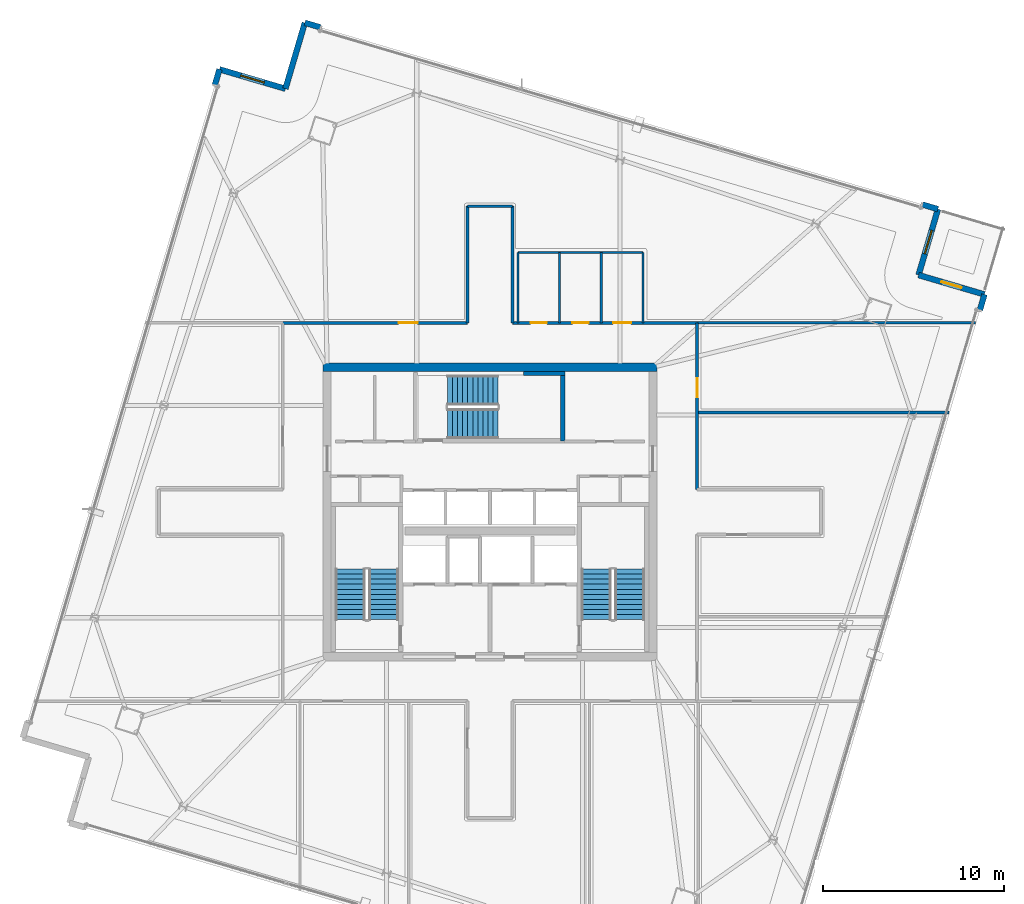
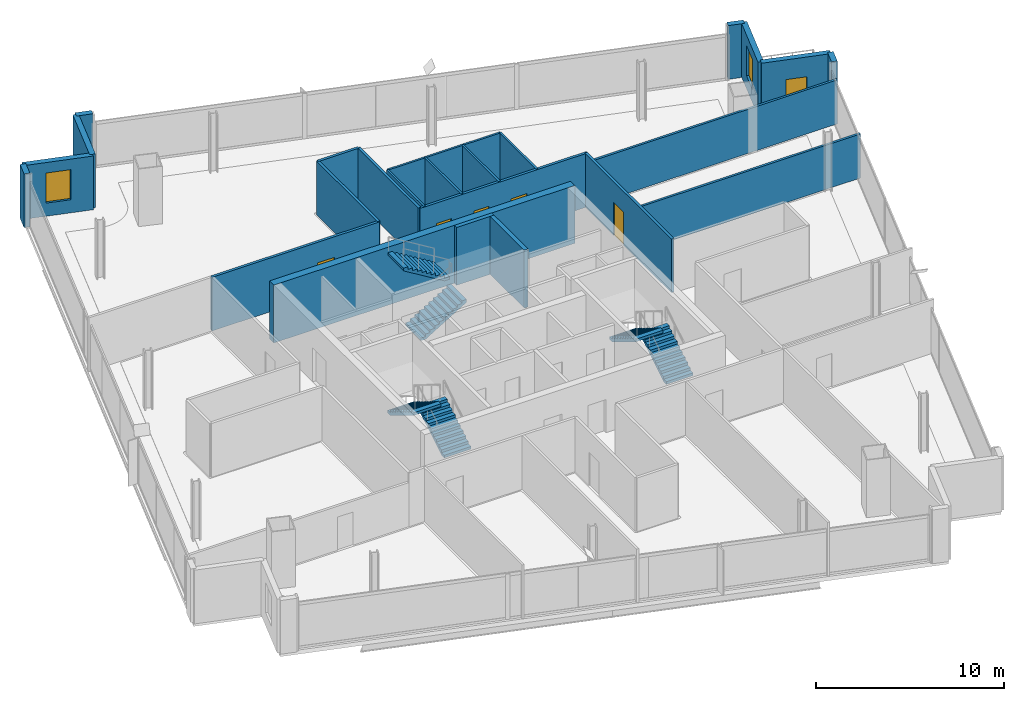
# One storey, part 22 of 26: 24 walls, 6 doors, 6 stair flights, 2 windows, 8 openings, 3 elements without a shape of their own.
"""IFC4 building model written with IfcOpenShell, lengths in metres."""

from ifc_helpers import new_model, si_unit, direction, frame, frame_2d, origin, place, context, subcontext, project, spatial, polyline, rectangle, outline, extrude, material, layer, layer_set, type_object, element, fill, aggregate, save


model = new_model("IFC4")

# Units and contexts
model_context = context("Model", 3, precision=1e-05, world=origin(), true_north=direction((0.0, 1.0)))
body_context = subcontext(model_context, "Body", "Model", "MODEL_VIEW")
ifc_project = project(units=[si_unit("LENGTHUNIT", "METRE"), si_unit("AREAUNIT", "SQUARE_METRE"), si_unit("VOLUMEUNIT", "CUBIC_METRE"), si_unit("PLANEANGLEUNIT", "RADIAN"), si_unit("MASSUNIT", "GRAM", prefix="KILO")], contexts=[model_context])

# Site, building, storey
site_placement = place(None, origin())
site = spatial("IfcSite", under=ifc_project, at=site_placement, CompositionType="ELEMENT")
building_placement = place(site_placement, origin())
building = spatial("IfcBuilding", under=site, at=building_placement, Name="Haldenkirk Collegiate Tower", CompositionType="ELEMENT")
storey_placement = place(building_placement, frame((0.0, 0.0, 274.949951171875)))
storey = spatial("IfcBuildingStorey", under=building, at=storey_placement, Name="L69", CompositionType="ELEMENT", Elevation=274.949951171875)

# Walls
ifc_material_1 = material(Name="Concrete f'c 55 MPa", Category="concrete")
ifc_layer_1 = layer(ifc_material_1, 0.449951171875)
ifc_layer_set_1 = layer_set([ifc_layer_1], Name="Concrete f'c 55 MPa")
wall_type_1 = type_object("IfcWallType", Name="WL-CORE-450", PredefinedType="SHEAR", material=ifc_layer_set_1)
wall_1_placement = place(storey_placement, frame((26.77490234375, 34.0, 0.0), z_axis=(0.0, 0.0, 1.0), x_axis=(1.0, 0.0, 0.0)))
element("IfcWall", 1, at=wall_1_placement, inside=storey, type_object=wall_type_1, Name="L69 central core shear wall N", PredefinedType="SHEAR", context=body_context, shape_type="SweptSolid", body=[
    extrude(rectangle(XDim=18.4501953125, YDim=0.449951171875, at=frame_2d((9.22509765625, 0.0))), origin(), (0.0, 0.0, 1.0), 3.75),
])
ifc_material_2 = material(Name="Precast concrete f'c 40 MPa", Category="concrete")
ifc_layer_2 = layer(ifc_material_2, 0.320068359375)
ifc_layer_set_2 = layer_set([ifc_layer_2], Name="Precast concrete f'c 40 MPa")
wall_type_2 = type_object("IfcWallType", Name="WL-EXT-TWR-320", PredefinedType="STANDARD", material=ifc_layer_set_2)
wall_2_placement = place(storey_placement, frame((63.331298828125, 38.0224609375, 0.0), z_axis=(0.0, 0.0, 1.0), x_axis=(-0.282092897466, -0.959387094555, 0.0)))
element("IfcWall", 2, at=wall_2_placement, inside=storey, type_object=wall_type_2, Name="L69 precast corner pier SL", PredefinedType="STANDARD", context=body_context, shape_type="SweptSolid", body=[
    extrude(rectangle(XDim=0.900146484375, YDim=0.320068359375, at=frame_2d((0.4501953125, 0.0))), origin(), (0.0, 0.0, 1.0), 3.47998046875),
])

# Wall, opening, door
wall_3_placement = place(storey_placement, frame((59.68603515625, 39.09521484375, 0.0), z_axis=(0.0, 0.0, 1.0), x_axis=(0.959321496859, -0.282315896939, 0.0)))
wall_3 = element("IfcWall", 3, at=wall_3_placement, inside=storey, type_object=wall_type_2, Name="L69 bronze precast notch wall 02", PredefinedType="STANDARD", context=body_context, shape_type="SweptSolid", body=[
    extrude(rectangle(XDim=3.7998046875, YDim=0.320068359375, at=frame_2d((1.89990234375, 0.0))), origin(), (0.0, 0.0, 1.0), 3.47998046875),
])
opening_1_placement = place(wall_3_placement, frame((1.324951171875, 0.0, 0.0)))
opening_1 = element("IfcOpeningElement", 4, at=opening_1_placement, cuts=wall_3, Name="Opening D-ST11", PredefinedType="OPENING", context=body_context, shape_type="SweptSolid", body=[
    extrude(rectangle(XDim=1.14990234375, YDim=2.199951171875, at=frame_2d((0.574951171875, 1.10009765625))), frame((0.0, 0.169921875, 0.0), z_axis=(0.0, -1.0, 0.0), x_axis=(1.0, 0.0, 0.0)), (0.0, 0.0, 1.0), 0.340087890625),
])
ifc_material_3 = material(Name="Anodised architectural bronze aluminium", Category="aluminium")
ifc_layer_3 = layer(ifc_material_3, 0.080078125)
ifc_layer_set_3 = layer_set([ifc_layer_3], Name="Anodised architectural bronze aluminium")
door_type_1 = type_object("IfcDoorType", Name="DR-EXT-STER-1150", OperationType="NOTDEFINED", PredefinedType="DOOR", material=ifc_layer_set_3)
door_1_placement = place(opening_1_placement, origin())
door_1 = element("IfcDoor", 5, at=door_1_placement, inside=storey, type_object=door_type_1, Name="L69 spiralling terrace door", OperationType="SINGLE_SWING_RIGHT", OverallHeight=2.199951171875, OverallWidth=1.14990234375, PredefinedType="DOOR", context=body_context, shape_type="SweptSolid", body=[
    extrude(rectangle(XDim=1.14990234375, YDim=2.199951171875, at=frame_2d((0.574951171875, 1.10009765625))), frame((0.0, 0.02490234375, 0.0), z_axis=(0.0, -1.0, 0.0), x_axis=(1.0, 0.0, 0.0)), (0.0, 0.0, 1.0), 0.050048828125),
])
fill(opening_1, door_1)

# Wall, opening, window
wall_4_placement = place(storey_placement, frame((60.7587890625, 42.740478515625, 0.0), z_axis=(0.0, 0.0, 1.0), x_axis=(-0.282315896939, -0.959321496859, 0.0)))
wall_4 = element("IfcWall", 6, at=wall_4_placement, inside=storey, type_object=wall_type_2, Name="L69 bronze precast notch wall 03", PredefinedType="STANDARD", context=body_context, shape_type="SweptSolid", body=[
    extrude(rectangle(XDim=3.7998046875, YDim=0.320068359375, at=frame_2d((1.89990234375, 0.0))), origin(), (0.0, 0.0, 1.0), 3.47998046875),
])
opening_2_placement = place(wall_4_placement, frame((1.22509765625, 0.0, 0.85009765625)))
opening_2 = element("IfcOpeningElement", 7, at=opening_2_placement, cuts=wall_4, Name="Opening W-07", PredefinedType="OPENING", context=body_context, shape_type="SweptSolid", body=[
    extrude(rectangle(XDim=1.35009765625, YDim=1.949951171875, at=frame_2d((0.675048828125, 0.97509765625))), frame((0.0, 0.169921875, 0.0), z_axis=(0.0, -1.0, 0.0), x_axis=(1.0, 0.0, 0.0)), (0.0, 0.0, 1.0), 0.340087890625),
])
ifc_material_4 = material(Name="Low-E argon triple insulating glass", Category="glass")
ifc_layer_4 = layer(ifc_material_4, 0.090087890625)
ifc_layer_set_4 = layer_set([ifc_layer_4], Name="Low-E argon triple insulating glass")
window_type = type_object("IfcWindowType", Name="WN-Z5-1350X1950", PartitioningType="SINGLE_PANEL", PredefinedType="WINDOW", material=ifc_layer_set_4)
window_1_placement = place(opening_2_placement, origin())
window_1 = element("IfcWindow", 8, at=window_1_placement, inside=storey, type_object=window_type, Name="L69 precast-frame academic window 2", OverallHeight=1.949951171875, OverallWidth=1.35009765625, PartitioningType="SINGLE_PANEL", PredefinedType="WINDOW", context=body_context, shape_type="SweptSolid", body=[
    extrude(rectangle(XDim=1.35009765625, YDim=1.949951171875, at=frame_2d((0.675048828125, 0.97509765625))), frame((0.0, 0.030029296875, 0.0), z_axis=(0.0, -1.0, 0.0), x_axis=(1.0, 0.0, 0.0)), (0.0, 0.0, 1.0), 0.06005859375),
])
fill(opening_2, window_1)

# Walls
wall_5_placement = place(storey_placement, frame((25.767822265625, 53.0390625, 0.0), z_axis=(0.0, 0.0, 1.0), x_axis=(0.959313659451, -0.282342527421, 0.0)))
element("IfcWall", 9, at=wall_5_placement, inside=storey, type_object=wall_type_2, Name="L69 precast corner pier EL", PredefinedType="STANDARD", context=body_context, shape_type="SweptSolid", body=[
    extrude(rectangle(XDim=0.900146484375, YDim=0.320068359375, at=frame_2d((0.4501953125, 0.0))), origin(), (0.0, 0.0, 1.0), 3.47998046875),
])
wall_6_placement = place(storey_placement, frame((59.8955078125, 42.99462890625, 0.0), z_axis=(0.0, 0.0, 1.0), x_axis=(0.959292029891, -0.282416007669, 0.0)))
element("IfcWall", 10, at=wall_6_placement, inside=storey, type_object=wall_type_2, Name="L69 precast corner pier ER", PredefinedType="STANDARD", context=body_context, shape_type="SweptSolid", body=[
    extrude(rectangle(XDim=0.89990234375, YDim=0.320068359375, at=frame_2d((0.449951171875, 0.0))), origin(), (0.0, 0.0, 1.0), 3.47998046875),
])
wall_7_placement = place(storey_placement, frame((24.695068359375, 49.393798828125, 0.0), z_axis=(0.0, 0.0, 1.0), x_axis=(0.282315896939, 0.959321496859, 0.0)))
element("IfcWall", 11, at=wall_7_placement, inside=storey, type_object=wall_type_2, Name="L69 bronze precast notch wall 05", PredefinedType="STANDARD", context=body_context, shape_type="SweptSolid", body=[
    extrude(rectangle(XDim=3.7998046875, YDim=0.320068359375, at=frame_2d((1.89990234375, 0.0))), origin(), (0.0, 0.0, 1.0), 3.47998046875),
])

# Wall, opening, window
wall_8_placement = place(storey_placement, frame((21.0498046875, 50.466552734375, 0.0), z_axis=(0.0, 0.0, 1.0), x_axis=(0.959321496859, -0.282315896939, 0.0)))
wall_8 = element("IfcWall", 12, at=wall_8_placement, inside=storey, type_object=wall_type_2, Name="L69 bronze precast notch wall 06", PredefinedType="STANDARD", context=body_context, shape_type="SweptSolid", body=[
    extrude(rectangle(XDim=3.7998046875, YDim=0.320068359375, at=frame_2d((1.89990234375, 0.0))), origin(), (0.0, 0.0, 1.0), 3.47998046875),
])
opening_3_placement = place(wall_8_placement, frame((1.22509765625, 0.0, 0.85009765625)))
opening_3 = element("IfcOpeningElement", 13, at=opening_3_placement, cuts=wall_8, Name="Opening W-07", PredefinedType="OPENING", context=body_context, shape_type="SweptSolid", body=[
    extrude(rectangle(XDim=1.35009765625, YDim=1.949951171875, at=frame_2d((0.675048828125, 0.97509765625))), frame((0.0, 0.169921875, 0.0), z_axis=(0.0, -1.0, 0.0), x_axis=(1.0, 0.0, 0.0)), (0.0, 0.0, 1.0), 0.340087890625),
])
window_2_placement = place(opening_3_placement, origin())
window_2 = element("IfcWindow", 14, at=window_2_placement, inside=storey, type_object=window_type, Name="L69 precast-frame academic window 5", OverallHeight=1.949951171875, OverallWidth=1.35009765625, PartitioningType="SINGLE_PANEL", PredefinedType="WINDOW", context=body_context, shape_type="SweptSolid", body=[
    extrude(rectangle(XDim=1.35009765625, YDim=1.949951171875, at=frame_2d((0.675048828125, 0.97509765625))), frame((0.0, 0.030029296875, 0.0), z_axis=(0.0, -1.0, 0.0), x_axis=(1.0, 0.0, 0.0)), (0.0, 0.0, 1.0), 0.06005859375),
])
fill(opening_3, window_2)

# Wall
wall_9_placement = place(storey_placement, frame((20.795654296875, 49.60302734375, 0.0), z_axis=(0.0, 0.0, 1.0), x_axis=(0.282342527421, 0.959313659451, 0.0)))
element("IfcWall", 15, at=wall_9_placement, inside=storey, type_object=wall_type_2, Name="L69 precast corner pier NR", PredefinedType="STANDARD", context=body_context, shape_type="SweptSolid", body=[
    extrude(rectangle(XDim=0.900146484375, YDim=0.320068359375, at=frame_2d((0.4501953125, 0.0))), origin(), (0.0, 0.0, 1.0), 3.47998046875),
])

# Wall, opening, door
ifc_material_5 = material(Name="Acoustic fire-rated gypsum partition", Category="concrete")
ifc_layer_5 = layer(ifc_material_5, 0.159912109375)
ifc_layer_set_5 = layer_set([ifc_layer_5], Name="Acoustic fire-rated gypsum partition")
wall_type_3 = type_object("IfcWallType", Name="WL-INT-CORR-160", PredefinedType="PARTITIONING", material=ifc_layer_set_5)
wall_10_placement = place(storey_placement, frame((24.5, 36.449951171875, 0.0), z_axis=(0.0, 0.0, 1.0), x_axis=(1.0, 0.0, 0.0)))
wall_10 = element("IfcWall", 16, at=wall_10_placement, inside=storey, type_object=wall_type_3, Name="L69 interior partition IW-L69-CN1", PredefinedType="PARTITIONING", context=body_context, shape_type="SweptSolid", body=[
    extrude(rectangle(XDim=10.25, YDim=0.159912109375, at=frame_2d((5.125, 0.0))), origin(), (0.0, 0.0, 1.0), 3.47998046875),
])
opening_4_placement = place(wall_10_placement, frame((6.445068359375, 0.0, 0.0)))
opening_4 = element("IfcOpeningElement", 17, at=opening_4_placement, cuts=wall_10, Name="Opening D-09", PredefinedType="OPENING", context=body_context, shape_type="SweptSolid", body=[
    extrude(rectangle(XDim=1.050048828125, YDim=2.14990234375, at=frame_2d((0.52490234375, 1.074951171875))), frame((0.0, 0.08984375, 0.0), z_axis=(0.0, -1.0, 0.0), x_axis=(1.0, 0.0, 0.0)), (0.0, 0.0, 1.0), 0.179931640625),
])
ifc_material_6 = material(Name="Solid-core architectural oak fire door", Category="wood")
ifc_layer_6 = layer(ifc_material_6, 0.06005859375)
ifc_layer_set_6 = layer_set([ifc_layer_6], Name="Solid-core architectural oak fire door")
door_type_2 = type_object("IfcDoorType", Name="DR-INT-FD60-1050", OperationType="NOTDEFINED", PredefinedType="DOOR", material=ifc_layer_set_6)
door_2_placement = place(opening_4_placement, origin())
door_2 = element("IfcDoor", 18, at=door_2_placement, inside=storey, type_object=door_type_2, Name="L69 Scholar Lounge 6 door", OperationType="SINGLE_SWING_RIGHT", OverallHeight=2.14990234375, OverallWidth=1.050048828125, PredefinedType="DOOR", context=body_context, shape_type="SweptSolid", body=[
    extrude(rectangle(XDim=1.050048828125, YDim=2.14990234375, at=frame_2d((0.52490234375, 1.074951171875))), frame((0.0, 0.02490234375, 0.0), z_axis=(0.0, -1.0, 0.0), x_axis=(1.0, 0.0, 0.0)), (0.0, 0.0, 1.0), 0.050048828125),
])
fill(opening_4, door_2)

# Wall, openings, doors
wall_11_placement = place(storey_placement, frame((37.25, 36.449951171875, 0.0), z_axis=(0.0, 0.0, 1.0), x_axis=(1.0, 0.0, 0.0)))
wall_11 = element("IfcWall", 19, at=wall_11_placement, inside=storey, type_object=wall_type_3, Name="L69 interior partition IW-L69-CN2", PredefinedType="PARTITIONING", context=body_context, shape_type="SweptSolid", body=[
    extrude(rectangle(XDim=10.25, YDim=0.159912109375, at=frame_2d((5.125, 0.0))), origin(), (0.0, 0.0, 1.0), 3.47998046875),
])
opening_5_placement = place(wall_11_placement, frame((1.0, 0.0, 0.0)))
opening_5 = element("IfcOpeningElement", 20, at=opening_5_placement, cuts=wall_11, Name="Opening D-13", PredefinedType="OPENING", context=body_context, shape_type="SweptSolid", body=[
    extrude(rectangle(XDim=0.89990234375, YDim=2.14990234375, at=frame_2d((0.449951171875, 1.074951171875))), frame((0.0, 0.08984375, 0.0), z_axis=(0.0, -1.0, 0.0), x_axis=(1.0, 0.0, 0.0)), (0.0, 0.0, 1.0), 0.179931640625),
])
opening_6_placement = place(wall_11_placement, frame((3.300048828125, 0.0, 0.0)))
opening_6 = element("IfcOpeningElement", 21, at=opening_6_placement, cuts=wall_11, Name="Opening D-13", PredefinedType="OPENING", context=body_context, shape_type="SweptSolid", body=[
    extrude(rectangle(XDim=0.89990234375, YDim=2.14990234375, at=frame_2d((0.449951171875, 1.074951171875))), frame((0.0, 0.08984375, 0.0), z_axis=(0.0, -1.0, 0.0), x_axis=(1.0, 0.0, 0.0)), (0.0, 0.0, 1.0), 0.179931640625),
])
opening_7_placement = place(wall_11_placement, frame((5.550048828125, 0.0, 0.0)))
opening_7 = element("IfcOpeningElement", 22, at=opening_7_placement, cuts=wall_11, Name="Opening D-14", PredefinedType="OPENING", context=body_context, shape_type="SweptSolid", body=[
    extrude(rectangle(XDim=1.0, YDim=2.14990234375, at=frame_2d((0.5, 1.074951171875))), frame((0.0, 0.08984375, 0.0), z_axis=(0.0, -1.0, 0.0), x_axis=(1.0, 0.0, 0.0)), (0.0, 0.0, 1.0), 0.179931640625),
])
ifc_layer_7 = layer(ifc_material_6, 0.06005859375)
ifc_layer_set_7 = layer_set([ifc_layer_7], Name="Solid-core architectural oak fire door")
door_type_3 = type_object("IfcDoorType", Name="DR-INT-ACC-1000", OperationType="NOTDEFINED", PredefinedType="DOOR", material=ifc_layer_set_7)
door_3_placement = place(opening_7_placement, origin())
door_3 = element("IfcDoor", 23, at=door_3_placement, inside=storey, type_object=door_type_3, Name="L69 Accessible WC door", OperationType="SINGLE_SWING_RIGHT", OverallHeight=2.14990234375, OverallWidth=1.0, PredefinedType="DOOR", context=body_context, shape_type="SweptSolid", body=[
    extrude(rectangle(XDim=1.0, YDim=2.14990234375, at=frame_2d((0.5, 1.074951171875))), frame((0.0, 0.02490234375, 0.0), z_axis=(0.0, -1.0, 0.0), x_axis=(1.0, 0.0, 0.0)), (0.0, 0.0, 1.0), 0.050048828125),
])
fill(opening_7, door_3)
ifc_layer_8 = layer(ifc_material_6, 0.06005859375)
ifc_layer_set_8 = layer_set([ifc_layer_8], Name="Solid-core architectural oak fire door")
door_type_4 = type_object("IfcDoorType", Name="DR-INT-STD-900", OperationType="NOTDEFINED", PredefinedType="DOOR", material=ifc_layer_set_8)
door_4_placement = place(opening_5_placement, origin())
door_4 = element("IfcDoor", 24, at=door_4_placement, inside=storey, type_object=door_type_4, Name="L69 Male WC door", OperationType="SINGLE_SWING_RIGHT", OverallHeight=2.14990234375, OverallWidth=0.89990234375, PredefinedType="DOOR", context=body_context, shape_type="SweptSolid", body=[
    extrude(rectangle(XDim=0.89990234375, YDim=2.14990234375, at=frame_2d((0.449951171875, 1.074951171875))), frame((0.0, 0.02490234375, 0.0), z_axis=(0.0, -1.0, 0.0), x_axis=(1.0, 0.0, 0.0)), (0.0, 0.0, 1.0), 0.050048828125),
])
fill(opening_5, door_4)
door_5_placement = place(opening_6_placement, origin())
door_5 = element("IfcDoor", 25, at=door_5_placement, inside=storey, type_object=door_type_4, Name="L69 Female WC door", OperationType="SINGLE_SWING_LEFT", OverallHeight=2.14990234375, OverallWidth=0.89990234375, PredefinedType="DOOR", context=body_context, shape_type="SweptSolid", body=[
    extrude(rectangle(XDim=0.89990234375, YDim=2.14990234375, at=frame_2d((0.449951171875, 1.074951171875))), frame((0.0, 0.02490234375, 0.0), z_axis=(0.0, -1.0, 0.0), x_axis=(1.0, 0.0, 0.0)), (0.0, 0.0, 1.0), 0.050048828125),
])
fill(opening_6, door_5)

# Wall, opening, door
wall_12_placement = place(storey_placement, frame((47.449951171875, 27.25, 0.0), z_axis=(0.0, 0.0, 1.0), x_axis=(0.0, 1.0, 0.0)))
wall_12 = element("IfcWall", 26, at=wall_12_placement, inside=storey, type_object=wall_type_3, Name="L69 interior partition IW-L69-CE2", PredefinedType="PARTITIONING", context=body_context, shape_type="SweptSolid", body=[
    extrude(rectangle(XDim=9.199951171875, YDim=0.159912109375, at=frame_2d((4.60009765625, 0.0))), origin(), (0.0, 0.0, 1.0), 3.47998046875),
])
opening_8_placement = place(wall_12_placement, frame((5.0830078125, 0.0, 0.0)))
opening_8 = element("IfcOpeningElement", 27, at=opening_8_placement, cuts=wall_12, Name="Opening D-09", PredefinedType="OPENING", context=body_context, shape_type="SweptSolid", body=[
    extrude(rectangle(XDim=1.050048828125, YDim=2.14990234375, at=frame_2d((0.52490234375, 1.074951171875))), frame((0.0, 0.08984375, 0.0), z_axis=(0.0, -1.0, 0.0), x_axis=(1.0, 0.0, 0.0)), (0.0, 0.0, 1.0), 0.179931640625),
])
door_6_placement = place(opening_8_placement, origin())
door_6 = element("IfcDoor", 28, at=door_6_placement, inside=storey, type_object=door_type_2, Name="L69 Faculty Club Lounge 10 door", OperationType="SINGLE_SWING_RIGHT", OverallHeight=2.14990234375, OverallWidth=1.050048828125, PredefinedType="DOOR", context=body_context, shape_type="SweptSolid", body=[
    extrude(rectangle(XDim=1.050048828125, YDim=2.14990234375, at=frame_2d((0.52490234375, 1.074951171875))), frame((0.0, 0.02490234375, 0.0), z_axis=(0.0, -1.0, 0.0), x_axis=(1.0, 0.0, 0.0)), (0.0, 0.0, 1.0), 0.050048828125),
])
fill(opening_8, door_6)

# Walls
for number, where, z_axis, x_axis, name in (
    (29, (34.75, 36.449951171875, 0.0), (0.0, 0.0, 1.0), (0.0, 1.0, 0.0), "L69 interior partition IW-L69-NPW"),
    (30, (37.25, 36.449951171875, 0.0), (0.0, 0.0, 1.0), (0.0, 1.0, 0.0), "L69 interior partition IW-L69-NPE"),
):
    element("IfcWall", number, at=place(storey_placement, frame(where, z_axis=z_axis, x_axis=x_axis)), inside=storey, type_object=wall_type_3, Name=name, PredefinedType="PARTITIONING", context=body_context, shape_type="SweptSolid", body=[
        extrude(rectangle(XDim=6.449951171875, YDim=0.159912109375, at=frame_2d((3.22509765625, 0.0))), origin(), (0.0, 0.0, 1.0), 3.47998046875),
    ])
wall_13_placement = place(storey_placement, frame((34.75, 42.89990234375, 0.0), z_axis=(0.0, 0.0, 1.0), x_axis=(1.0, 0.0, 0.0)))
element("IfcWall", 31, at=wall_13_placement, inside=storey, type_object=wall_type_3, Name="L69 interior partition IW-L69-NPN", PredefinedType="PARTITIONING", context=body_context, shape_type="SweptSolid", body=[
    extrude(rectangle(XDim=2.5, YDim=0.159912109375, at=frame_2d((1.25, 0.0))), origin(), (0.0, 0.0, 1.0), 3.47998046875),
])
ifc_layer_9 = layer(ifc_material_5, 0.139892578125)
ifc_layer_set_9 = layer_set([ifc_layer_9], Name="Acoustic fire-rated gypsum partition")
wall_type_4 = type_object("IfcWallType", Name="WL-INT-DIV-140", PredefinedType="PARTITIONING", material=ifc_layer_set_9)
wall_14_placement = place(storey_placement, frame((47.449951171875, 36.449951171875, 0.0), z_axis=(0.0, 0.0, 1.0), x_axis=(1.0, 0.0, 0.0)))
element("IfcWall", 32, at=wall_14_placement, inside=storey, type_object=wall_type_4, Name="L69 interior partition IW-L69-BEN", PredefinedType="PARTITIONING", context=body_context, shape_type="SweptSolid", body=[
    extrude(rectangle(XDim=15.376953125, YDim=0.139892578125, at=frame_2d((7.6884765625, 0.0))), origin(), (0.0, 0.0, 1.0), 2.858154296875),
])
wall_15_placement = place(storey_placement, frame((47.449951171875, 31.5, 0.0), z_axis=(0.0, 0.0, 1.0), x_axis=(1.0, 0.0, 0.0)))
element("IfcWall", 33, at=wall_15_placement, inside=storey, type_object=wall_type_4, Name="L69 interior partition IW-L69-RE2", PredefinedType="PARTITIONING", context=body_context, shape_type="SweptSolid", body=[
    extrude(rectangle(XDim=13.920166015625, YDim=0.139892578125, at=frame_2d((6.9599609375, 0.0))), origin(), (0.0, 0.0, 1.0), 2.858154296875),
])
ifc_layer_10 = layer(ifc_material_5, 0.1201171875)
ifc_layer_set_10 = layer_set([ifc_layer_10], Name="Acoustic fire-rated gypsum partition")
wall_type_5 = type_object("IfcWallType", Name="WL-INT-WET-120", PredefinedType="PARTITIONING", material=ifc_layer_set_10)
for number, where, z_axis, x_axis, name in (
    (34, (37.550048828125, 36.449951171875, 0.0), (0.0, 0.0, 1.0), (0.0, 1.0, 0.0), "L69 interior partition IW-L69-WCW"),
    (35, (39.85009765625, 36.449951171875, 0.0), (0.0, 0.0, 1.0), (0.0, 1.0, 0.0), "L69 interior partition IW-L69-WC1"),
    (36, (42.14990234375, 36.449951171875, 0.0), (0.0, 0.0, 1.0), (0.0, 1.0, 0.0), "L69 interior partition IW-L69-WC2"),
    (37, (44.449951171875, 36.449951171875, 0.0), (0.0, 0.0, 1.0), (0.0, 1.0, 0.0), "L69 interior partition IW-L69-WCE"),
):
    element("IfcWall", number, at=place(storey_placement, frame(where, z_axis=z_axis, x_axis=x_axis)), inside=storey, type_object=wall_type_5, Name=name, PredefinedType="PARTITIONING", context=body_context, shape_type="SweptSolid", body=[
        extrude(rectangle(XDim=3.900146484375, YDim=0.1201171875, at=frame_2d((1.9501953125, 0.0))), origin(), (0.0, 0.0, 1.0), 3.47998046875),
    ])
wall_16_placement = place(storey_placement, frame((37.550048828125, 40.35009765625, 0.0), z_axis=(0.0, 0.0, 1.0), x_axis=(1.0, 0.0, 0.0)))
element("IfcWall", 38, at=wall_16_placement, inside=storey, type_object=wall_type_5, Name="L69 interior partition IW-L69-WCB", PredefinedType="PARTITIONING", context=body_context, shape_type="SweptSolid", body=[
    extrude(rectangle(XDim=6.89990234375, YDim=0.1201171875, at=frame_2d((3.449951171875, 0.0))), origin(), (0.0, 0.0, 1.0), 3.47998046875),
])
ifc_layer_11 = layer(ifc_material_1, 0.239990234375)
ifc_layer_set_11 = layer_set([ifc_layer_11], Name="Concrete f'c 55 MPa")
wall_type_6 = type_object("IfcWallType", Name="WL-SHAFT-240", PredefinedType="SHEAR", material=ifc_layer_set_11)
wall_17_placement = place(storey_placement, frame((40.02001953125, 29.929931640625, 0.0), z_axis=(0.0, 0.0, 1.0), x_axis=(0.0, 1.0, 0.0)))
element("IfcWall", 39, at=wall_17_placement, inside=storey, type_object=wall_type_6, Name="L69 stair shaft shear wall SW-L69-ST3E", PredefinedType="SHEAR", context=body_context, shape_type="SweptSolid", body=[
    extrude(rectangle(XDim=3.85009765625, YDim=0.239990234375, at=frame_2d((1.925048828125, 0.0))), origin(), (0.0, 0.0, 1.0), 3.75),
])
wall_18_placement = place(storey_placement, frame((37.85009765625, 33.659912109375, 0.0), z_axis=(0.0, 0.0, 1.0), x_axis=(1.0, 0.0, 0.0)))
element("IfcWall", 40, at=wall_18_placement, inside=storey, type_object=wall_type_6, Name="L69 stair shaft shear wall SW-L69-ST3N", PredefinedType="SHEAR", context=body_context, shape_type="SweptSolid", body=[
    extrude(rectangle(XDim=2.289794921875, YDim=0.239990234375, at=frame_2d((1.14501953125, 0.0))), origin(), (0.0, 0.0, 1.0), 3.75),
])

# Stair, stair flights
ifc_material_7 = material(Name="Concrete f'c 40 MPa", Category="concrete")
stair_type = type_object("IfcStairType", Name="STR-DOGLEG-1650", PredefinedType="HALF_TURN_STAIR", material=ifc_material_7)
stair_1_placement = place(storey_placement, origin())
stair_1 = element("IfcStair", 41, at=stair_1_placement, inside=storey, type_object=stair_type, Name="L69 Core Exit Stair ST-1", PredefinedType="HALF_TURN_STAIR")
stair_flight_type = type_object("IfcStairFlightType", Name="STF-FLIGHT-1650", PredefinedType="STRAIGHT", material=ifc_material_7)
stair_flight_1_placement = place(storey_placement, frame((30.125, 20.050048828125, 0.0), z_axis=(0.0, 0.0, 1.0), x_axis=(0.0, 1.0, 0.0)))
stair_flight_1 = element("IfcStairFlight", 42, at=stair_flight_1_placement, type_object=stair_flight_type, Name="ST-1 flight 1", NumberOfRisers=11, NumberOfTreads=10, PredefinedType="STRAIGHT", RiserHeight=0.170454545, TreadLength=0.28, context=body_context, shape_type="SweptSolid", body=[
    extrude(outline(polyline([(0.0, 0.0), (0.0, 0.17041015625), (0.280029296875, 0.17041015625), (0.280029296875, 0.3408203125), (0.56005859375, 0.3408203125), (0.56005859375, 0.511474609375), (0.840087890625, 0.511474609375), (0.840087890625, 0.681884765625), (1.1201171875, 0.681884765625), (1.1201171875, 0.852294921875), (1.39990234375, 0.852294921875), (1.39990234375, 1.022705078125), (1.679931640625, 1.022705078125), (1.679931640625, 1.193115234375), (1.9599609375, 1.193115234375), (1.9599609375, 1.363525390625), (2.239990234375, 1.363525390625), (2.239990234375, 1.5341796875), (2.52001953125, 1.5341796875), (2.52001953125, 1.70458984375), (2.800048828125, 1.70458984375), (2.800048828125, 1.875), (2.800048828125, 1.529052734375), (0.288330078125, 0.0), (0.0, 0.0)])), frame((0.0, 0.824951171875, 0.0), z_axis=(0.0, -1.0, 0.0), x_axis=(1.0, 0.0, 0.0)), (0.0, 0.0, 1.0), 1.64990234375),
])
stair_flight_2_placement = place(storey_placement, frame((28.27490234375, 22.85009765625, 1.875), z_axis=(0.0, 0.0, 1.0), x_axis=(0.0, -1.0, 0.0)))
stair_flight_2 = element("IfcStairFlight", 43, at=stair_flight_2_placement, type_object=stair_flight_type, Name="ST-1 flight 2", NumberOfRisers=11, NumberOfTreads=10, PredefinedType="STRAIGHT", RiserHeight=0.170454545, TreadLength=0.28, context=body_context, shape_type="SweptSolid", body=[
    extrude(outline(polyline([(0.0, 0.0), (0.0, 0.17041015625), (0.280029296875, 0.17041015625), (0.280029296875, 0.3408203125), (0.56005859375, 0.3408203125), (0.56005859375, 0.511474609375), (0.840087890625, 0.511474609375), (0.840087890625, 0.681884765625), (1.1201171875, 0.681884765625), (1.1201171875, 0.852294921875), (1.39990234375, 0.852294921875), (1.39990234375, 1.022705078125), (1.679931640625, 1.022705078125), (1.679931640625, 1.193115234375), (1.9599609375, 1.193115234375), (1.9599609375, 1.363525390625), (2.239990234375, 1.363525390625), (2.239990234375, 1.5341796875), (2.52001953125, 1.5341796875), (2.52001953125, 1.70458984375), (2.800048828125, 1.70458984375), (2.800048828125, 1.875), (2.800048828125, 1.529052734375), (0.288330078125, 0.0), (0.0, 0.0)])), frame((0.0, 0.824951171875, 0.0), z_axis=(0.0, -1.0, 0.0), x_axis=(1.0, 0.0, 0.0)), (0.0, 0.0, 1.0), 1.64990234375),
])
aggregate(stair_1, [stair_flight_1, stair_flight_2])

stair_2_placement = place(storey_placement, origin())
stair_2 = element("IfcStair", 44, at=stair_2_placement, inside=storey, type_object=stair_type, Name="L69 Core Exit Stair ST-2", PredefinedType="HALF_TURN_STAIR")
stair_flight_3_placement = place(storey_placement, frame((43.72509765625, 20.050048828125, 0.0), z_axis=(0.0, 0.0, 1.0), x_axis=(0.0, 1.0, 0.0)))
stair_flight_3 = element("IfcStairFlight", 45, at=stair_flight_3_placement, type_object=stair_flight_type, Name="ST-2 flight 1", NumberOfRisers=11, NumberOfTreads=10, PredefinedType="STRAIGHT", RiserHeight=0.170454545, TreadLength=0.28, context=body_context, shape_type="SweptSolid", body=[
    extrude(outline(polyline([(0.0, 0.0), (0.0, 0.17041015625), (0.280029296875, 0.17041015625), (0.280029296875, 0.3408203125), (0.56005859375, 0.3408203125), (0.56005859375, 0.511474609375), (0.840087890625, 0.511474609375), (0.840087890625, 0.681884765625), (1.1201171875, 0.681884765625), (1.1201171875, 0.852294921875), (1.39990234375, 0.852294921875), (1.39990234375, 1.022705078125), (1.679931640625, 1.022705078125), (1.679931640625, 1.193115234375), (1.9599609375, 1.193115234375), (1.9599609375, 1.363525390625), (2.239990234375, 1.363525390625), (2.239990234375, 1.5341796875), (2.52001953125, 1.5341796875), (2.52001953125, 1.70458984375), (2.800048828125, 1.70458984375), (2.800048828125, 1.875), (2.800048828125, 1.529052734375), (0.288330078125, 0.0), (0.0, 0.0)])), frame((0.0, 0.824951171875, 0.0), z_axis=(0.0, -1.0, 0.0), x_axis=(1.0, 0.0, 0.0)), (0.0, 0.0, 1.0), 1.64990234375),
])
stair_flight_4_placement = place(storey_placement, frame((41.875, 22.85009765625, 1.875), z_axis=(0.0, 0.0, 1.0), x_axis=(0.0, -1.0, 0.0)))
stair_flight_4 = element("IfcStairFlight", 46, at=stair_flight_4_placement, type_object=stair_flight_type, Name="ST-2 flight 2", NumberOfRisers=11, NumberOfTreads=10, PredefinedType="STRAIGHT", RiserHeight=0.170454545, TreadLength=0.28, context=body_context, shape_type="SweptSolid", body=[
    extrude(outline(polyline([(0.0, 0.0), (0.0, 0.17041015625), (0.280029296875, 0.17041015625), (0.280029296875, 0.3408203125), (0.56005859375, 0.3408203125), (0.56005859375, 0.511474609375), (0.840087890625, 0.511474609375), (0.840087890625, 0.681884765625), (1.1201171875, 0.681884765625), (1.1201171875, 0.852294921875), (1.39990234375, 0.852294921875), (1.39990234375, 1.022705078125), (1.679931640625, 1.022705078125), (1.679931640625, 1.193115234375), (1.9599609375, 1.193115234375), (1.9599609375, 1.363525390625), (2.239990234375, 1.363525390625), (2.239990234375, 1.5341796875), (2.52001953125, 1.5341796875), (2.52001953125, 1.70458984375), (2.800048828125, 1.70458984375), (2.800048828125, 1.875), (2.800048828125, 1.529052734375), (0.288330078125, 0.0), (0.0, 0.0)])), frame((0.0, 0.824951171875, 0.0), z_axis=(0.0, -1.0, 0.0), x_axis=(1.0, 0.0, 0.0)), (0.0, 0.0, 1.0), 1.64990234375),
])
aggregate(stair_2, [stair_flight_3, stair_flight_4])

stair_3_placement = place(storey_placement, origin())
stair_3 = element("IfcStair", 47, at=stair_3_placement, inside=storey, type_object=stair_type, Name="L69 Core Exit Stair ST-3", PredefinedType="HALF_TURN_STAIR")
stair_flight_5_placement = place(storey_placement, frame((33.64990234375, 30.875, 0.0), z_axis=(0.0, 0.0, 1.0), x_axis=(1.0, 0.0, 0.0)))
stair_flight_5 = element("IfcStairFlight", 48, at=stair_flight_5_placement, type_object=stair_flight_type, Name="ST-3 flight 1", NumberOfRisers=11, NumberOfTreads=10, PredefinedType="STRAIGHT", RiserHeight=0.170454545, TreadLength=0.28, context=body_context, shape_type="SweptSolid", body=[
    extrude(outline(polyline([(0.0, 0.0), (0.0, 0.17041015625), (0.280029296875, 0.17041015625), (0.280029296875, 0.3408203125), (0.56005859375, 0.3408203125), (0.56005859375, 0.511474609375), (0.840087890625, 0.511474609375), (0.840087890625, 0.681884765625), (1.1201171875, 0.681884765625), (1.1201171875, 0.852294921875), (1.39990234375, 0.852294921875), (1.39990234375, 1.022705078125), (1.679931640625, 1.022705078125), (1.679931640625, 1.193115234375), (1.9599609375, 1.193115234375), (1.9599609375, 1.363525390625), (2.239990234375, 1.363525390625), (2.239990234375, 1.5341796875), (2.52001953125, 1.5341796875), (2.52001953125, 1.70458984375), (2.800048828125, 1.70458984375), (2.800048828125, 1.875), (2.800048828125, 1.529052734375), (0.288330078125, 0.0), (0.0, 0.0)])), frame((0.0, 0.824951171875, 0.0), z_axis=(0.0, -1.0, 0.0), x_axis=(1.0, 0.0, 0.0)), (0.0, 0.0, 1.0), 1.64990234375),
])
stair_flight_6_placement = place(storey_placement, frame((36.449951171875, 32.72509765625, 1.875), z_axis=(0.0, 0.0, 1.0), x_axis=(-1.0, 0.0, 0.0)))
stair_flight_6 = element("IfcStairFlight", 49, at=stair_flight_6_placement, type_object=stair_flight_type, Name="ST-3 flight 2", NumberOfRisers=11, NumberOfTreads=10, PredefinedType="STRAIGHT", RiserHeight=0.170454545, TreadLength=0.28, context=body_context, shape_type="SweptSolid", body=[
    extrude(outline(polyline([(0.0, 0.0), (0.0, 0.17041015625), (0.280029296875, 0.17041015625), (0.280029296875, 0.3408203125), (0.56005859375, 0.3408203125), (0.56005859375, 0.511474609375), (0.840087890625, 0.511474609375), (0.840087890625, 0.681884765625), (1.1201171875, 0.681884765625), (1.1201171875, 0.852294921875), (1.39990234375, 0.852294921875), (1.39990234375, 1.022705078125), (1.679931640625, 1.022705078125), (1.679931640625, 1.193115234375), (1.9599609375, 1.193115234375), (1.9599609375, 1.363525390625), (2.239990234375, 1.363525390625), (2.239990234375, 1.5341796875), (2.52001953125, 1.5341796875), (2.52001953125, 1.70458984375), (2.800048828125, 1.70458984375), (2.800048828125, 1.875), (2.800048828125, 1.529052734375), (0.288330078125, 0.0), (0.0, 0.0)])), frame((0.0, 0.824951171875, 0.0), z_axis=(0.0, -1.0, 0.0), x_axis=(1.0, 0.0, 0.0)), (0.0, 0.0, 1.0), 1.64990234375),
])
aggregate(stair_3, [stair_flight_5, stair_flight_6])

save(model, "model.ifc")
